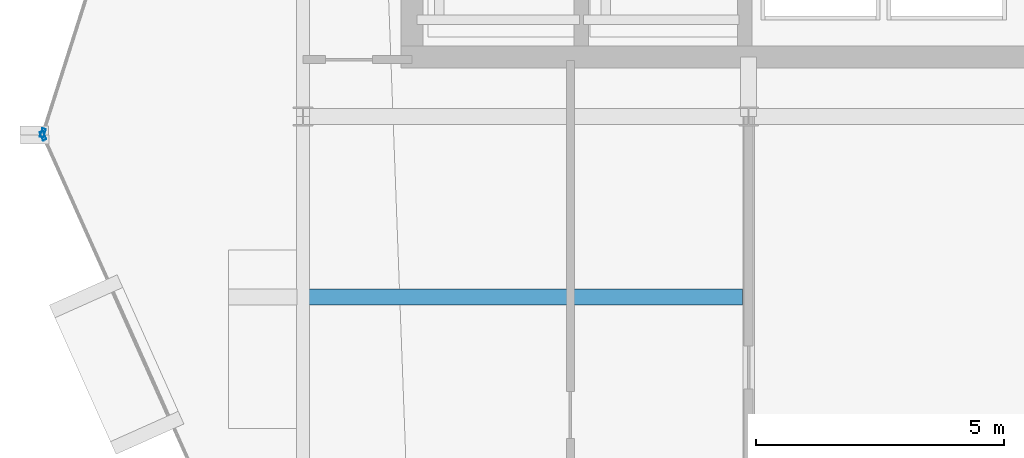
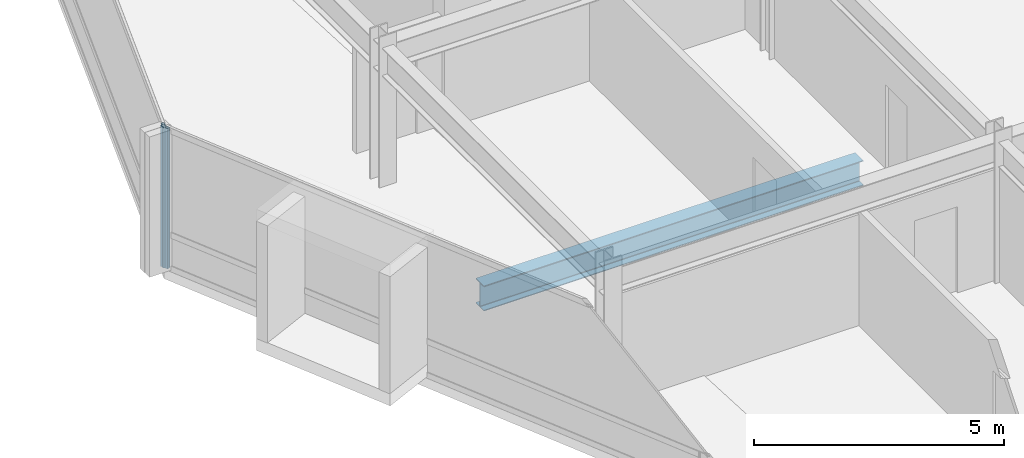
# One storey, part 6 of 19: 2 members, 1 beam, 2 elements without a shape of their own.
"""IFC4 building model written with IfcOpenShell, lengths in metres."""

from ifc_helpers import new_model, si_unit, direction, frame, origin, origin_2d, place, context, subcontext, project, spatial, hollow_rectangle, i_section, extrude, material, layer, layer_set, material_profile, profile_set, type_object, element, aggregate, save


model = new_model("IFC4")

# Units and contexts
model_context = context("Model", 3, precision=1e-05, world=origin(), true_north=direction((0.0, 1.0)))
body_context = subcontext(model_context, "Body", "Model", "MODEL_VIEW")
ifc_project = project(units=[si_unit("LENGTHUNIT", "METRE"), si_unit("AREAUNIT", "SQUARE_METRE"), si_unit("VOLUMEUNIT", "CUBIC_METRE"), si_unit("PLANEANGLEUNIT", "RADIAN"), si_unit("MASSUNIT", "GRAM", prefix="KILO")], contexts=[model_context])

# Site, building, storey
site_placement = place(None, origin())
site = spatial("IfcSite", under=ifc_project, at=site_placement, CompositionType="ELEMENT")
building_placement = place(site_placement, origin())
building = spatial("IfcBuilding", under=site, at=building_placement, Name="Solvaryn Broadcast Tower", CompositionType="ELEMENT")
storey_placement = place(building_placement, frame((0.0, 0.0, 248.199951171875)))
storey = spatial("IfcBuildingStorey", under=building, at=storey_placement, Name="L62", CompositionType="ELEMENT", Elevation=248.199951171875)

# Beam
ifc_material_1 = material(Name="Steel ASTM A992 Grade 50", Category="steel")
ifc_material_profile_1 = material_profile(ifc_material_1, i_section(OverallWidth=0.323974609375, OverallDepth=0.611083984375, WebThickness=0.0126953125, FlangeThickness=0.01904296875, FilletRadius=0.014892578125, at=origin_2d()))
ifc_profile_set_1 = profile_set([ifc_material_profile_1], Name="Steel ASTM A992 Grade 50")
beam_type = type_object("IfcBeamType", Name="BM-B1-W24X104", PredefinedType="BEAM", material=ifc_profile_set_1)
beam_placement = place(storey_placement, frame((17.875, 23.35009765625, -0.58544921875), z_axis=(-1.0, 0.0, 0.0), x_axis=(0.0, -1.0, 0.0)))
element("IfcBeam", 1, at=beam_placement, inside=storey, type_object=beam_type, Name="L62 Bay-Box Back-Span Beam 1", PredefinedType="BEAM", context=body_context, shape_type="SweptSolid", body=[
    extrude(i_section(OverallWidth=0.323974609375, OverallDepth=0.611083984375, WebThickness=0.0126953125, FlangeThickness=0.01904296875, FilletRadius=0.014892578125, at=origin_2d()), origin(), (0.0, 0.0, 1.0), 8.75),
])

# Curtain wall, member
ifc_material_2 = material(Name="Aluminium and Terracotta Unitised Curtain Wall", Category="masonry")
ifc_layer = layer(ifc_material_2, 0.199951171875)
ifc_layer_set = layer_set([ifc_layer], Name="CW-SYS2-LOWMID")
curtain_wall_type = type_object("IfcCurtainWallType", Name="CW-SYS2-LOWMID", PredefinedType="NOTDEFINED", material=ifc_layer_set)
curtain_wall_1_placement = place(storey_placement, origin())
curtain_wall_1 = element("IfcCurtainWall", 2, at=curtain_wall_1_placement, inside=storey, type_object=curtain_wall_type, Name="L62 Curtain Wall DR1", PredefinedType="NOTDEFINED")
ifc_material_3 = material(Name="Anodised Aluminium 6063-T6", Category="aluminium")
ifc_material_profile_2 = material_profile(ifc_material_3, hollow_rectangle(XDim=0.074951171875, YDim=0.179931640625, WallThickness=0.00390625, InnerFilletRadius=0.00390625, OuterFilletRadius=0.008056640625, at=origin_2d()))
ifc_profile_set_2 = profile_set([ifc_material_profile_2], Name="Anodised Aluminium 6063-T6")
member_type = type_object("IfcMemberType", Name="CW-MUL-180", PredefinedType="MULLION", material=ifc_profile_set_2)
member_1_placement = place(storey_placement, frame((3.7470703125, 26.66455078125, 0.0), z_axis=(0.0, 0.0, 1.0), x_axis=(0.952794594701, -0.30361564569, 0.0)))
member_1 = element("IfcMember", 3, at=member_1_placement, type_object=member_type, Name="CWS2 mullion 2", PredefinedType="MULLION", context=body_context, shape_type="SweptSolid", body=[
    extrude(hollow_rectangle(XDim=0.074951171875, YDim=0.179931640625, WallThickness=0.00390625, InnerFilletRadius=0.00390625, OuterFilletRadius=0.008056640625, at=origin_2d()), origin(), (0.0, 0.0, 1.0), 3.420166015625),
])
aggregate(curtain_wall_1, [member_1])

curtain_wall_2_placement = place(storey_placement, origin())
curtain_wall_2 = element("IfcCurtainWall", 4, at=curtain_wall_2_placement, inside=storey, type_object=curtain_wall_type, Name="L62 Curtain Wall DR2", PredefinedType="NOTDEFINED")
member_2_placement = place(storey_placement, frame((3.750244140625, 26.608642578125, 0.0), z_axis=(0.0, 0.0, 1.0), x_axis=(0.912773530574, 0.408466010682, 0.0)))
member_2 = element("IfcMember", 5, at=member_2_placement, type_object=member_type, Name="CWS2 mullion 1", PredefinedType="MULLION", context=body_context, shape_type="SweptSolid", body=[
    extrude(hollow_rectangle(XDim=0.074951171875, YDim=0.179931640625, WallThickness=0.00390625, InnerFilletRadius=0.00390625, OuterFilletRadius=0.008056640625, at=origin_2d()), origin(), (0.0, 0.0, 1.0), 3.420166015625),
])
aggregate(curtain_wall_2, [member_2])

save(model, "model.ifc")
